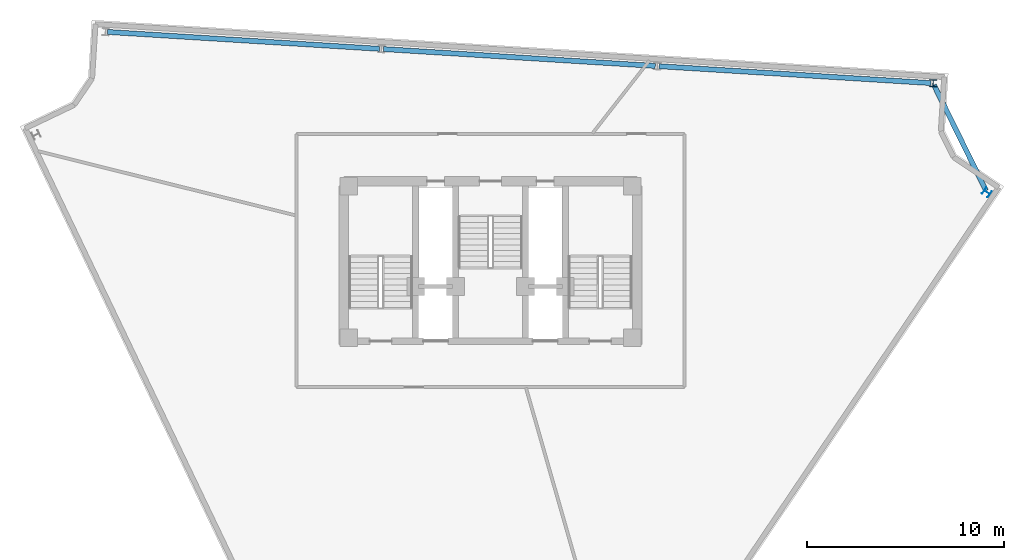
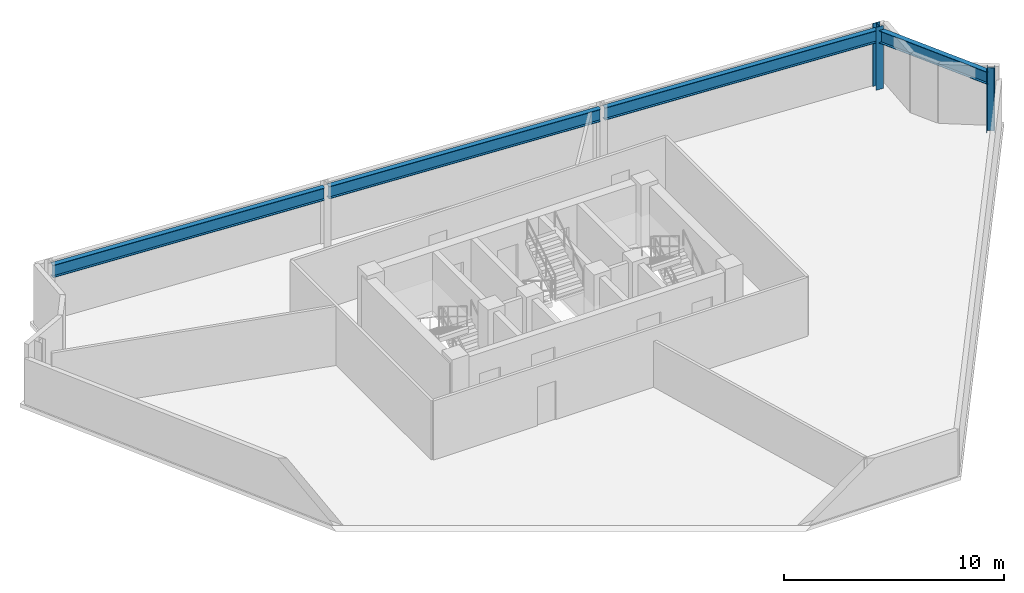
# One storey, part 2 of 5: 4 beams, 2 columns.
"""IFC4 building model written with IfcOpenShell, lengths in metres."""

import ifcopenshell
import ifcopenshell.guid

model = None  # the IFC model being written
_history = None  # IfcOwnerHistory: only IFC2X3 demands one
_inside = {}  # id of a spatial element -> (the spatial element, [elements in it])
_under = {}  # id of a project, library or spatial element -> (it, [spatial elements below it])
_declared = {}  # id of a project -> (the project, [libraries it declares])
_typed = {}  # id of a type object -> (the type object, [elements of that type])
_made_of = {}  # id of a material, layer set ... -> (it, [elements and type objects made of it])


def new_model(schema):
    """Start an empty IFC model of exactly this schema.

    Asked for "IFC4X3", IfcOpenShell would pick the latest addendum, in which some entities
    have other attributes; the version numbers below select the first issue.
    IFC2X3 requires an IfcOwnerHistory on every rooted entity: one is made here for all.
    """
    global model, _history
    if schema == "IFC4X3":
        model = ifcopenshell.file(schema_version=(4, 3, 0, 0))
    else:
        model = ifcopenshell.file(schema=schema)
    _inside.clear()
    _under.clear()
    _declared.clear()
    _typed.clear()
    _made_of.clear()
    _history = None
    if model.schema == "IFC2X3":
        org = make("IfcOrganization", Name="unknown")
        user = make(
            "IfcPersonAndOrganization",
            ThePerson=make("IfcPerson", FamilyName="unknown"),
            TheOrganization=org,
        )
        app = make(
            "IfcApplication",
            ApplicationDeveloper=org,
            Version="unknown",
            ApplicationFullName="unknown",
            ApplicationIdentifier="unknown",
        )
        _history = make(
            "IfcOwnerHistory",
            OwningUser=user,
            OwningApplication=app,
            ChangeAction="ADDED",
            CreationDate=0,
        )
    return model


def make(cls, **values):
    """One entity of the class cls with the attributes given. An attribute that is None is left unset."""
    return model.create_entity(
        cls, **{name: value for name, value in values.items() if value is not None}
    )


def rooted(cls, **values):
    """An entity with a GlobalId (a new one), such as an element, a storey or a relation."""
    return make(cls, GlobalId=ifcopenshell.guid.new(), OwnerHistory=_history, **values)


def si_unit(unit_type, name, prefix=None):
    """IfcSIUnit, for example si_unit("LENGTHUNIT", "METRE", prefix="MILLI")."""
    return make("IfcSIUnit", UnitType=unit_type, Prefix=prefix, Name=name)


def assignment(units):
    """IfcUnitAssignment: the units of a project."""
    return None if units is None else make("IfcUnitAssignment", Units=units)


def point(xyz):
    """IfcCartesianPoint."""
    return None if xyz is None else make("IfcCartesianPoint", Coordinates=xyz)


def direction(xyz):
    """IfcDirection."""
    return None if xyz is None else make("IfcDirection", DirectionRatios=xyz)


def frame(location, z_axis=None, x_axis=None):
    """IfcAxis2Placement3D, a coordinate frame: its origin and axes. An axis left out is left unset."""
    return make(
        "IfcAxis2Placement3D",
        Location=point(location),
        Axis=direction(z_axis),
        RefDirection=direction(x_axis),
    )


def frame_2d(location, x_axis=None):
    """IfcAxis2Placement2D, a coordinate frame in the plane: its origin and x axis."""
    return make(
        "IfcAxis2Placement2D", Location=point(location), RefDirection=direction(x_axis)
    )


def origin():
    """The frame at (0, 0, 0) with its axes left unset."""
    return frame((0.0, 0.0, 0.0))


def origin_2d():
    """The frame at (0, 0) in the plane with its x axis left unset."""
    return frame_2d((0.0, 0.0))


def place(relative_to, where):
    """IfcLocalPlacement: puts the frame where relative to a parent placement (None: the world)."""
    return make(
        "IfcLocalPlacement", PlacementRelTo=relative_to, RelativePlacement=where
    )


def context(
    kind, dimensions, precision=None, world=None, true_north=None, identifier=None
):
    """IfcGeometricRepresentationContext, for example the 3D "Model" context."""
    return make(
        "IfcGeometricRepresentationContext",
        ContextIdentifier=identifier,
        ContextType=kind,
        CoordinateSpaceDimension=dimensions,
        Precision=precision,
        WorldCoordinateSystem=world,
        TrueNorth=true_north,
    )


def subcontext(parent, identifier, kind, view, scale=None):
    """IfcGeometricRepresentationSubContext, for example "Body" below "Model"."""
    return make(
        "IfcGeometricRepresentationSubContext",
        ContextIdentifier=identifier,
        ContextType=kind,
        ParentContext=parent,
        TargetScale=scale,
        TargetView=view,
    )


def project(units=None, contexts=None):
    """IfcProject with its units and contexts."""
    return rooted(
        "IfcProject",
        Name="project",
        RepresentationContexts=contexts,
        UnitsInContext=assignment(units),
    )


def spatial(cls, under=None, at=None, **own):
    """A site, building, storey or space (cls), placed at a placement, below another one or the project."""
    s = rooted(cls, ObjectPlacement=at, **own)
    if under is not None:
        _under.setdefault(under.id(), (under, []))[1].append(s)
    return s


def profile(cls, at=None, kind="AREA", **sizes):
    """A parametric profile (cls). Its sizes go by their IFC names, for example OverallWidth=200.0."""
    return make(cls, ProfileType=kind, Position=at, **sizes)


def i_section(**sizes):
    """IfcIShapeProfileDef."""
    return profile("IfcIShapeProfileDef", **sizes)


def extrude(swept, where, along, depth):
    """IfcExtrudedAreaSolid: the profile swept, set in the frame where, extruded along a direction by depth."""
    return make(
        "IfcExtrudedAreaSolid",
        SweptArea=swept,
        Position=where,
        ExtrudedDirection=direction(along),
        Depth=depth,
    )


def shape(context_of_items, identifier, shape_type, items):
    """IfcShapeRepresentation: the items that make up one representation, for example the "Body"."""
    return make(
        "IfcShapeRepresentation",
        ContextOfItems=context_of_items,
        RepresentationIdentifier=identifier,
        RepresentationType=shape_type,
        Items=items,
    )


def material(Name=None, Category=None):
    """IfcMaterial."""
    return make("IfcMaterial", Name=Name, Category=Category)


def material_profile(
    of_material, cross_section, Name=None, Category=None, Priority=None
):
    """IfcMaterialProfile: a cross section and its material."""
    return make(
        "IfcMaterialProfile",
        Name=Name,
        Material=of_material,
        Profile=cross_section,
        Priority=Priority,
        Category=Category,
    )


def profile_set(profiles, Name=None, composite=None):
    """IfcMaterialProfileSet."""
    return make(
        "IfcMaterialProfileSet",
        Name=Name,
        MaterialProfiles=profiles,
        CompositeProfile=composite,
    )


def made_of(thing, what):
    """Note that an element or type object is made of a material, layer set ...; save() writes the relation."""
    if what is not None:
        _made_of.setdefault(what.id(), (what, []))[1].append(thing)
    return thing


def type_object(cls, material=None, **own):
    """A type object (cls), such as IfcWallType, which elements share."""
    return made_of(rooted(cls, **own), material)


def element(
    cls,
    number,
    at=None,
    inside=None,
    cuts=None,
    type_object=None,
    material=None,
    context=None,
    identifier="Body",
    shape_type=None,
    held_by="IfcProductDefinitionShape",
    body=None,
    shapes=None,
    **own,
):
    """One element of the class cls, such as IfcWall. Its Tag is "e" and its number.

    at: its placement. inside: the storey or other place that contains it. cuts: it is an
    opening in that element (IfcRelVoidsElement). A single representation is given by context,
    identifier, shape_type and body (its items); several are given by shapes. held_by: the class
    of the entity that holds the representations. save() writes the other relations.
    """
    e = rooted(cls, Tag="e%d" % number, ObjectPlacement=at, **own)
    if body is not None:
        shapes = [shape(context, identifier, shape_type, body)]
    if shapes is not None:
        e.Representation = make(held_by, Representations=shapes)
    if inside is not None:
        _inside.setdefault(inside.id(), (inside, []))[1].append(e)
    if cuts is not None:
        rooted(
            "IfcRelVoidsElement", RelatingBuildingElement=cuts, RelatedOpeningElement=e
        )
    if type_object is not None:
        _typed.setdefault(type_object.id(), (type_object, []))[1].append(e)
    return made_of(e, material)


def aggregate(whole, parts):
    """IfcRelAggregates: a whole, such as a stair, and the parts it consists of."""
    return rooted("IfcRelAggregates", RelatingObject=whole, RelatedObjects=parts)


def save(model, path):
    """Write the relations noted so far, then the file.

    IfcRelAggregates (storeys below a building ...), IfcRelContainedInSpatialStructure (elements
    in a storey), IfcRelDefinesByType, IfcRelAssociatesMaterial and IfcRelDeclares: one each for
    every whole, place, type object, material and project.
    """
    for whole, parts in _under.values():
        aggregate(whole, parts)
    for where, things in _inside.values():
        rooted(
            "IfcRelContainedInSpatialStructure",
            RelatedElements=things,
            RelatingStructure=where,
        )
    for kind, things in _typed.values():
        rooted("IfcRelDefinesByType", RelatedObjects=things, RelatingType=kind)
    for what, things in _made_of.values():
        rooted("IfcRelAssociatesMaterial", RelatedObjects=things, RelatingMaterial=what)
    for by, libraries in _declared.values():
        rooted("IfcRelDeclares", RelatingContext=by, RelatedDefinitions=libraries)
    model.write(path)


model = new_model("IFC4")

# Units and contexts
model_context = context("Model", 3, precision=1e-05, world=origin(), true_north=direction((0.0, 1.0)))
body_context = subcontext(model_context, "Body", "Model", "MODEL_VIEW")
ifc_project = project(units=[si_unit("LENGTHUNIT", "METRE"), si_unit("AREAUNIT", "SQUARE_METRE"), si_unit("VOLUMEUNIT", "CUBIC_METRE"), si_unit("PLANEANGLEUNIT", "RADIAN"), si_unit("MASSUNIT", "GRAM", prefix="KILO")], contexts=[model_context])

# Site, building, storey
site_placement = place(None, origin())
site = spatial("IfcSite", under=ifc_project, at=site_placement, CompositionType="ELEMENT")
building_placement = place(site_placement, origin())
building = spatial("IfcBuilding", under=site, at=building_placement, Name="Apsidion Concourse Tower", CompositionType="ELEMENT")
storey_placement = place(building_placement, frame((0.0, 0.0, 339.5)))
storey = spatial("IfcBuildingStorey", under=building, at=storey_placement, Name="L80", CompositionType="ELEMENT", Elevation=339.5)

# Columns
ifc_material = material(Name="Structural steel ASTM A992 Grade 50", Category="steel")
ifc_material_profile_1 = material_profile(ifc_material, i_section(OverallWidth=0.367919921875, OverallDepth=0.35595703125, WebThickness=0.01123046875, FlangeThickness=0.01806640625, at=origin_2d()), Name="W14X90")
ifc_profile_set_1 = profile_set([ifc_material_profile_1], Name="Structural steel ASTM A992 Grade 50")
column_type = type_object("IfcColumnType", Name="COL-W14-90", PredefinedType="COLUMN", material=ifc_profile_set_1)
for number, where, z_axis, x_axis, name in (
    (1, (25.208984375, 8.83251953125, 0.0), (0.0, 0.0, 1.0), (0.559192903471, 0.829037572555, 0.0), "L80 Rotated Perimeter Column PC08"),
    (2, (22.47705078125, 14.378662109375, 0.0), (0.0, 0.0, 1.0), (-0.998081143466, 0.061919553109, 0.0), "L80 Rotated Perimeter Column PC09"),
):
    element("IfcColumn", number, at=place(storey_placement, frame(where, z_axis=z_axis, x_axis=x_axis)), inside=storey, type_object=column_type, Name=name, PredefinedType="COLUMN", context=body_context, shape_type="SweptSolid", body=[
        extrude(i_section(OverallWidth=0.367919921875, OverallDepth=0.35595703125, WebThickness=0.01123046875, FlangeThickness=0.01806640625, at=origin_2d()), origin(), (0.0, 0.0, 1.0), 3.5),
    ])

# Beams
ifc_material_profile_2 = material_profile(ifc_material, i_section(OverallWidth=0.256103515625, OverallDepth=0.693115234375, WebThickness=0.014404296875, FlangeThickness=0.023681640625, at=origin_2d()), Name="W27X114")
ifc_profile_set_2 = profile_set([ifc_material_profile_2], Name="Structural steel ASTM A992 Grade 50")
beam_type = type_object("IfcBeamType", Name="BM-SP-W27", PredefinedType="SPANDREL", material=ifc_profile_set_2)
beam_1_placement = place(storey_placement, frame((25.164794921875, 8.922119140625, 2.93359375), z_axis=(-0.441884134894, 0.897072132734, 0.0), x_axis=(-0.897072132734, -0.441884134894, 0.0)))
element("IfcBeam", 3, at=beam_1_placement, inside=storey, type_object=beam_type, Name="L80 Crown Perimeter Spandrel Beam CSP-02", PredefinedType="SPANDREL", context=body_context, shape_type="SweptSolid", body=[
    extrude(i_section(OverallWidth=0.256103515625, OverallDepth=0.693115234375, WebThickness=0.014404296875, FlangeThickness=0.023681640625, at=origin_2d()), origin(), (0.0, 0.0, 1.0), 5.982421875),
])
beam_2_placement = place(storey_placement, frame((22.377197265625, 14.384765625, 2.93359375), z_axis=(-0.998077561187, 0.06197726886, 0.0), x_axis=(-0.06197726886, -0.998077561187, 0.0)))
element("IfcBeam", 4, at=beam_2_placement, inside=storey, type_object=beam_type, Name="L80 Crown Perimeter Spandrel Beam CSP-03", PredefinedType="SPANDREL", context=body_context, shape_type="SweptSolid", body=[
    extrude(i_section(OverallWidth=0.256103515625, OverallDepth=0.693115234375, WebThickness=0.014404296875, FlangeThickness=0.023681640625, at=origin_2d()), origin(), (0.0, 0.0, 1.0), 13.83447265625),
])
for number, where, z_axis, x_axis, name in (
    (5, (8.36962890625, 15.254638671875, 2.93359375), (-0.998076537228, 0.061993756414, 0.0), (-0.061993756414, -0.998076537228, 0.0), "L80 Crown Perimeter Spandrel Beam CSP-04"),
    (6, (-5.637939453125, 16.12451171875, 2.93359375), (-0.998076537228, 0.061993756414, 0.0), (-0.061993756414, -0.998076537228, 0.0), "L80 Crown Perimeter Spandrel Beam CSP-05"),
):
    element("IfcBeam", number, at=place(storey_placement, frame(where, z_axis=z_axis, x_axis=x_axis)), inside=storey, type_object=beam_type, Name=name, PredefinedType="SPANDREL", context=body_context, shape_type="SweptSolid", body=[
        extrude(i_section(OverallWidth=0.256103515625, OverallDepth=0.693115234375, WebThickness=0.014404296875, FlangeThickness=0.023681640625, at=origin_2d()), origin(), (0.0, 0.0, 1.0), 13.834716796875),
    ])

save(model, "model.ifc")
